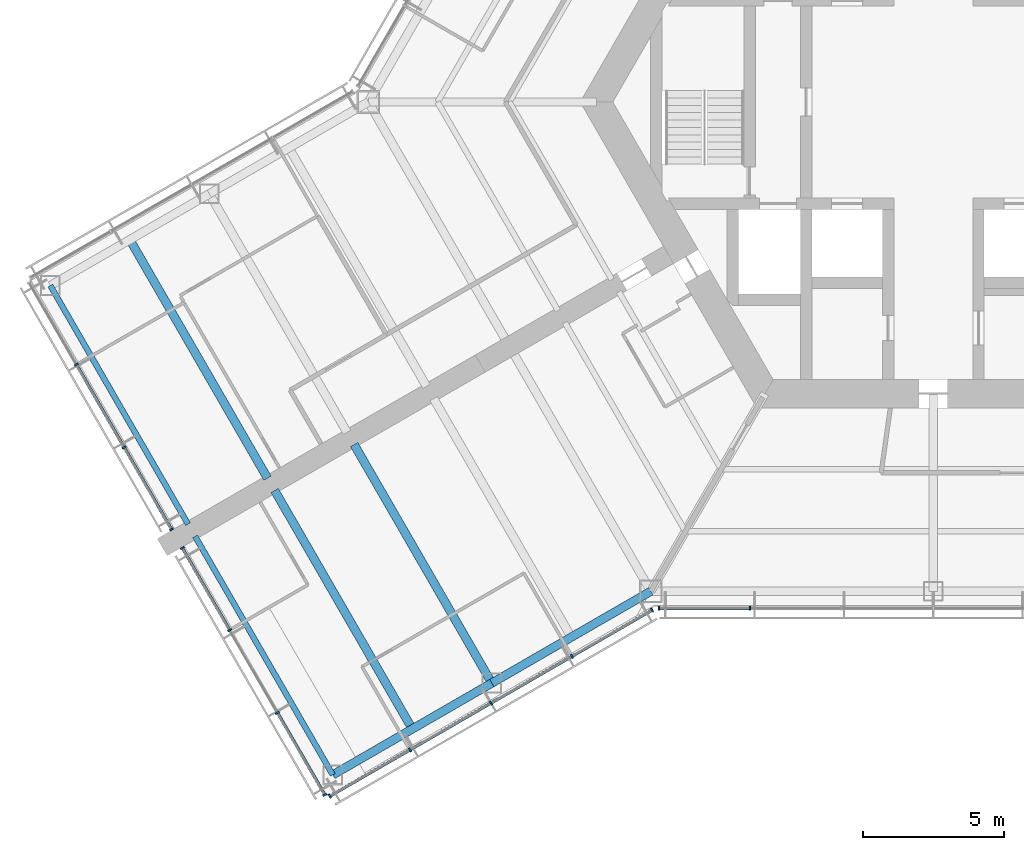
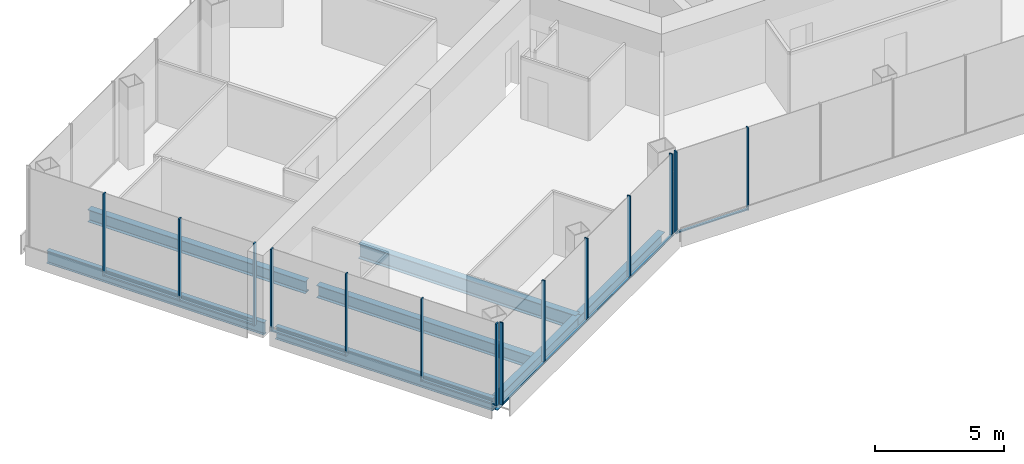
# One storey, part 2 of 18: 23 members, 7 beams, 4 elements without a shape of their own.
"""IFC4 building model written with IfcOpenShell, lengths in metres."""

from ifc_helpers import new_model, si_unit, direction, frame, origin, origin_2d, place, context, subcontext, project, spatial, rectangle, i_section, extrude, material, material_profile, profile_set, type_object, element, aggregate, save


model = new_model("IFC4")

# Units and contexts
model_context = context("Model", 3, precision=1e-05, world=origin(), true_north=direction((0.0, 1.0)))
body_context = subcontext(model_context, "Body", "Model", "MODEL_VIEW")
ifc_project = project(units=[si_unit("LENGTHUNIT", "METRE"), si_unit("AREAUNIT", "SQUARE_METRE"), si_unit("VOLUMEUNIT", "CUBIC_METRE"), si_unit("PLANEANGLEUNIT", "RADIAN"), si_unit("MASSUNIT", "GRAM", prefix="KILO")], contexts=[model_context])

# Site, building, storey
site_placement = place(None, origin())
site = spatial("IfcSite", under=ifc_project, at=site_placement, CompositionType="ELEMENT")
building_placement = place(site_placement, origin())
building = spatial("IfcBuilding", under=site, at=building_placement, Name="Kasaneha Research Tower", CompositionType="ELEMENT")
storey_placement = place(building_placement, frame((0.0, 0.0, 144.800048828125)))
storey = spatial("IfcBuildingStorey", under=building, at=storey_placement, Name="L36", CompositionType="ELEMENT", Elevation=144.800048828125)

# Beams
ifc_material_1 = material(Name="Steel SN490B", Category="steel")
ifc_material_profile_1 = material_profile(ifc_material_1, i_section(OverallWidth=0.300048828125, OverallDepth=0.58203125, WebThickness=0.011962890625, FlangeThickness=0.01708984375, FilletRadius=0.012939453125, at=origin_2d()), Name="H-582x300x12x17")
ifc_profile_set_1 = profile_set([ifc_material_profile_1], Name="Steel SN490B")
beam_type_1 = type_object("IfcBeamType", Name="B2-3 secondary beam H-582x300x12x17", PredefinedType="JOIST", material=ifc_profile_set_1)
for number, where, z_axis, x_axis, name in (
    (1, (-28.44384765625, -4.875, -0.441162109375), (0.499995560238, -0.866027967067, 0.0), (0.866027967067, 0.499995560238, 0.0), "Secondary beam WBBP2 L36"),
    (2, (-18.44384765625, -22.195556640625, -0.441162109375), (-0.499995560238, 0.866027967067, 0.0), (-0.866027967067, -0.499995560238, 0.0), "Secondary beam WBBN2 L36"),
):
    element("IfcBeam", number, at=place(storey_placement, frame(where, z_axis=z_axis, x_axis=x_axis)), inside=storey, type_object=beam_type_1, Name=name, PredefinedType="JOIST", context=body_context, shape_type="SweptSolid", body=[
        extrude(i_section(OverallWidth=0.300048828125, OverallDepth=0.58203125, WebThickness=0.011962890625, FlangeThickness=0.01708984375, FilletRadius=0.012939453125, at=origin_2d()), origin(), (0.0, 0.0, 1.0), 9.75),
    ])

# Curtain wall, members
ifc_material_2 = material(Name="Glass and aluminium", Category="aluminium")
curtain_wall_type = type_object("IfcCurtainWallType", Name="Mid-rise office curtain wall", PredefinedType="USERDEFINED", material=ifc_material_2)
curtain_wall_1_placement = place(storey_placement, origin())
curtain_wall_1 = element("IfcCurtainWall", 3, at=curtain_wall_1_placement, inside=storey, type_object=curtain_wall_type, Name="CW-O2 L36 run 01a", ObjectType="UNITISED CURTAIN WALL", PredefinedType="USERDEFINED")
ifc_material_3 = material(Name="Aluminium 6063-T6", Category="aluminium")
ifc_material_profile_2 = material_profile(ifc_material_3, rectangle(XDim=0.06005859375, YDim=0.14990234375, at=origin_2d()), Name="CW-O2 mullion 60x150")
ifc_profile_set_2 = profile_set([ifc_material_profile_2], Name="Aluminium 6063-T6")
member_type_1 = type_object("IfcMemberType", Name="CW-O2 mullion", PredefinedType="MULLION", material=ifc_profile_set_2)
member_1_placement = place(storey_placement, frame((-9.709228515625, -17.92041015625, 0.0), z_axis=(0.0, 0.0, 1.0), x_axis=(1.0, 0.0, 0.0)))
member_1 = element("IfcMember", 4, at=member_1_placement, type_object=member_type_1, Name="CW-O2 mullion 1", PredefinedType="MULLION", context=body_context, shape_type="SweptSolid", body=[
    extrude(rectangle(XDim=0.06005859375, YDim=0.14990234375, at=origin_2d()), origin(), (0.0, 0.0, 1.0), 3.89990234375),
])
member_2_placement = place(storey_placement, frame((-6.492919921875, -17.92041015625, 0.0), z_axis=(0.0, 0.0, 1.0), x_axis=(1.0, 0.0, 0.0)))
member_2 = element("IfcMember", 5, at=member_2_placement, type_object=member_type_1, Name="CW-O2 mullion 2", PredefinedType="MULLION", context=body_context, shape_type="SweptSolid", body=[
    extrude(rectangle(XDim=0.06005859375, YDim=0.14990234375, at=origin_2d()), origin(), (0.0, 0.0, 1.0), 3.89990234375),
])

curtain_wall_2_placement = place(storey_placement, origin())
curtain_wall_2 = element("IfcCurtainWall", 6, at=curtain_wall_2_placement, inside=storey, type_object=curtain_wall_type, Name="CW-O2 L36 run 10a", ObjectType="UNITISED CURTAIN WALL", PredefinedType="USERDEFINED")
member_3_placement = place(storey_placement, frame((-30.336181640625, -9.297119140625, 0.0), z_axis=(0.0, 0.0, 1.0), x_axis=(0.500000011442, -0.866025397178, 0.0)))
member_3 = element("IfcMember", 7, at=member_3_placement, type_object=member_type_1, Name="CW-O2 mullion 2", PredefinedType="MULLION", context=body_context, shape_type="SweptSolid", body=[
    extrude(rectangle(XDim=0.06005859375, YDim=0.14990234375, at=origin_2d()), origin(), (0.0, 0.0, 1.0), 3.89990234375),
])
member_4_placement = place(storey_placement, frame((-28.64453125, -12.22705078125, 0.0), z_axis=(0.0, 0.0, 1.0), x_axis=(0.500000011442, -0.866025397178, 0.0)))
member_4 = element("IfcMember", 8, at=member_4_placement, type_object=member_type_1, Name="CW-O2 mullion 3", PredefinedType="MULLION", context=body_context, shape_type="SweptSolid", body=[
    extrude(rectangle(XDim=0.06005859375, YDim=0.14990234375, at=origin_2d()), origin(), (0.0, 0.0, 1.0), 3.89990234375),
])
member_5_placement = place(storey_placement, frame((-26.968017578125, -15.131103515625, 0.0), z_axis=(0.0, 0.0, 1.0), x_axis=(0.500000011442, -0.866025397178, 0.0)))
member_5 = element("IfcMember", 9, at=member_5_placement, type_object=member_type_1, Name="CW-O2 mullion 4", PredefinedType="MULLION", context=body_context, shape_type="SweptSolid", body=[
    extrude(rectangle(XDim=0.06005859375, YDim=0.14990234375, at=origin_2d()), origin(), (0.0, 0.0, 1.0), 3.89990234375),
])

curtain_wall_3_placement = place(storey_placement, origin())
curtain_wall_3 = element("IfcCurtainWall", 10, at=curtain_wall_3_placement, inside=storey, type_object=curtain_wall_type, Name="CW-O2 L36 run 11a", ObjectType="UNITISED CURTAIN WALL", PredefinedType="USERDEFINED")
member_6_placement = place(storey_placement, frame((-26.587890625, -15.789306640625, 0.0), z_axis=(0.0, 0.0, 1.0), x_axis=(0.500000011442, -0.866025397178, 0.0)))
member_6 = element("IfcMember", 11, at=member_6_placement, type_object=member_type_1, Name="CW-O2 mullion 1", PredefinedType="MULLION", context=body_context, shape_type="SweptSolid", body=[
    extrude(rectangle(XDim=0.06005859375, YDim=0.14990234375, at=origin_2d()), origin(), (0.0, 0.0, 1.0), 3.89990234375),
])
member_7_placement = place(storey_placement, frame((-24.911376953125, -18.693359375, 0.0), z_axis=(0.0, 0.0, 1.0), x_axis=(0.500000011442, -0.866025397178, 0.0)))
member_7 = element("IfcMember", 12, at=member_7_placement, type_object=member_type_1, Name="CW-O2 mullion 2", PredefinedType="MULLION", context=body_context, shape_type="SweptSolid", body=[
    extrude(rectangle(XDim=0.06005859375, YDim=0.14990234375, at=origin_2d()), origin(), (0.0, 0.0, 1.0), 3.89990234375),
])
member_8_placement = place(storey_placement, frame((-23.2197265625, -21.62353515625, 0.0), z_axis=(0.0, 0.0, 1.0), x_axis=(0.500000011442, -0.866025397178, 0.0)))
member_8 = element("IfcMember", 13, at=member_8_placement, type_object=member_type_1, Name="CW-O2 mullion 3", PredefinedType="MULLION", context=body_context, shape_type="SweptSolid", body=[
    extrude(rectangle(XDim=0.06005859375, YDim=0.14990234375, at=origin_2d()), origin(), (0.0, 0.0, 1.0), 3.89990234375),
])
member_9_placement = place(storey_placement, frame((-21.54296875, -24.527587890625, 0.0), z_axis=(0.0, 0.0, 1.0), x_axis=(0.500000011442, -0.866025397178, 0.0)))
member_9 = element("IfcMember", 14, at=member_9_placement, type_object=member_type_1, Name="CW-O2 mullion 4", PredefinedType="MULLION", context=body_context, shape_type="SweptSolid", body=[
    extrude(rectangle(XDim=0.06005859375, YDim=0.14990234375, at=origin_2d()), origin(), (0.0, 0.0, 1.0), 3.89990234375),
])

curtain_wall_4_placement = place(storey_placement, origin())
curtain_wall_4 = element("IfcCurtainWall", 15, at=curtain_wall_4_placement, inside=storey, type_object=curtain_wall_type, Name="CW-O2 L36 run 12a", ObjectType="UNITISED CURTAIN WALL", PredefinedType="USERDEFINED")
member_10_placement = place(storey_placement, frame((-21.365478515625, -24.5751953125, 0.0), z_axis=(0.0, 0.0, 1.0), x_axis=(0.866025411464, 0.499999986699, 0.0)))
member_10 = element("IfcMember", 16, at=member_10_placement, type_object=member_type_1, Name="CW-O2 mullion 1", PredefinedType="MULLION", context=body_context, shape_type="SweptSolid", body=[
    extrude(rectangle(XDim=0.06005859375, YDim=0.14990234375, at=origin_2d()), origin(), (0.0, 0.0, 1.0), 3.89990234375),
])
member_11_placement = place(storey_placement, frame((-18.52490234375, -22.935302734375, 0.0), z_axis=(0.0, 0.0, 1.0), x_axis=(0.866025411464, 0.499999986699, 0.0)))
member_11 = element("IfcMember", 17, at=member_11_placement, type_object=member_type_1, Name="CW-O2 mullion 2", PredefinedType="MULLION", context=body_context, shape_type="SweptSolid", body=[
    extrude(rectangle(XDim=0.06005859375, YDim=0.14990234375, at=origin_2d()), origin(), (0.0, 0.0, 1.0), 3.89990234375),
])
member_12_placement = place(storey_placement, frame((-15.65869140625, -21.2802734375, 0.0), z_axis=(0.0, 0.0, 1.0), x_axis=(0.866025411464, 0.499999986699, 0.0)))
member_12 = element("IfcMember", 18, at=member_12_placement, type_object=member_type_1, Name="CW-O2 mullion 3", PredefinedType="MULLION", context=body_context, shape_type="SweptSolid", body=[
    extrude(rectangle(XDim=0.06005859375, YDim=0.14990234375, at=origin_2d()), origin(), (0.0, 0.0, 1.0), 3.89990234375),
])
member_13_placement = place(storey_placement, frame((-12.792236328125, -19.62548828125, 0.0), z_axis=(0.0, 0.0, 1.0), x_axis=(0.866025411464, 0.499999986699, 0.0)))
member_13 = element("IfcMember", 19, at=member_13_placement, type_object=member_type_1, Name="CW-O2 mullion 4", PredefinedType="MULLION", context=body_context, shape_type="SweptSolid", body=[
    extrude(rectangle(XDim=0.06005859375, YDim=0.14990234375, at=origin_2d()), origin(), (0.0, 0.0, 1.0), 3.89990234375),
])
member_14_placement = place(storey_placement, frame((-9.951904296875, -17.985595703125, 0.0), z_axis=(0.0, 0.0, 1.0), x_axis=(0.866025411464, 0.499999986699, 0.0)))
member_14 = element("IfcMember", 20, at=member_14_placement, type_object=member_type_1, Name="CW-O2 mullion 5", PredefinedType="MULLION", context=body_context, shape_type="SweptSolid", body=[
    extrude(rectangle(XDim=0.06005859375, YDim=0.14990234375, at=origin_2d()), origin(), (0.0, 0.0, 1.0), 3.89990234375),
])

# Member
ifc_material_4 = material(Name="Aluminium 6063-T6", Category="aluminium")
ifc_material_profile_3 = material_profile(ifc_material_4, rectangle(XDim=0.110107421875, YDim=0.06005859375, at=origin_2d()), Name="CW-O2 transom 110x60")
ifc_profile_set_3 = profile_set([ifc_material_profile_3], Name="Aluminium 6063-T6")
member_type_2 = type_object("IfcMemberType", Name="CW-O2 transom", PredefinedType="USERDEFINED", material=ifc_profile_set_3)
member_15_placement = place(storey_placement, frame((-9.67919921875, -17.92041015625, 0.030029296875), z_axis=(1.0, 0.0, 0.0), x_axis=(0.0, 1.0, 0.0)))
member_15 = element("IfcMember", 21, at=member_15_placement, type_object=member_type_2, Name="CW-O2 transom 1", ObjectType="TRANSOM", PredefinedType="USERDEFINED", context=body_context, shape_type="SweptSolid", body=[
    extrude(rectangle(XDim=0.110107421875, YDim=0.06005859375, at=origin_2d()), origin(), (0.0, 0.0, 1.0), 3.156494140625),
])

aggregate(curtain_wall_1, [member_1, member_2, member_15])

member_16_placement = place(storey_placement, frame((-30.3212890625, -9.322998046875, 0.030029296875), z_axis=(0.499978935311, -0.866037565146, 0.0), x_axis=(0.866037565146, 0.499978935311, 0.0)))
member_16 = element("IfcMember", 22, at=member_16_placement, type_object=member_type_2, Name="CW-O2 transom 2", ObjectType="TRANSOM", PredefinedType="USERDEFINED", context=body_context, shape_type="SweptSolid", body=[
    extrude(rectangle(XDim=0.110107421875, YDim=0.06005859375, at=origin_2d()), origin(), (0.0, 0.0, 1.0), 3.323486328125),
])

member_17_placement = place(storey_placement, frame((-28.629638671875, -12.253173828125, 0.030029296875), z_axis=(0.500021914551, -0.866012751043, 0.0), x_axis=(0.866012751043, 0.500021914551, 0.0)))
member_17 = element("IfcMember", 23, at=member_17_placement, type_object=member_type_2, Name="CW-O2 transom 3", ObjectType="TRANSOM", PredefinedType="USERDEFINED", context=body_context, shape_type="SweptSolid", body=[
    extrude(rectangle(XDim=0.110107421875, YDim=0.06005859375, at=origin_2d()), origin(), (0.0, 0.0, 1.0), 3.293212890625),
])

aggregate(curtain_wall_2, [member_3, member_4, member_5, member_16, member_17])

member_18_placement = place(storey_placement, frame((-26.572998046875, -15.8154296875, 0.030029296875), z_axis=(0.500021914551, -0.866012751043, 0.0), x_axis=(0.866012751043, 0.500021914551, 0.0)))
member_18 = element("IfcMember", 24, at=member_18_placement, type_object=member_type_2, Name="CW-O2 transom 1", ObjectType="TRANSOM", PredefinedType="USERDEFINED", context=body_context, shape_type="SweptSolid", body=[
    extrude(rectangle(XDim=0.110107421875, YDim=0.06005859375, at=origin_2d()), origin(), (0.0, 0.0, 1.0), 3.293212890625),
])

member_19_placement = place(storey_placement, frame((-23.20458984375, -21.6494140625, 0.030029296875), z_axis=(0.500021914551, -0.866012751043, 0.0), x_axis=(0.866012751043, 0.500021914551, 0.0)))
member_19 = element("IfcMember", 25, at=member_19_placement, type_object=member_type_2, Name="CW-O2 transom 3", ObjectType="TRANSOM", PredefinedType="USERDEFINED", context=body_context, shape_type="SweptSolid", body=[
    extrude(rectangle(XDim=0.110107421875, YDim=0.06005859375, at=origin_2d()), origin(), (0.0, 0.0, 1.0), 3.293212890625),
])

aggregate(curtain_wall_3, [member_6, member_7, member_8, member_9, member_18, member_19])

member_20_placement = place(storey_placement, frame((-21.33935546875, -24.56005859375, 0.030029296875), z_axis=(0.866022692473, 0.500004696101, 0.0), x_axis=(-0.500004696101, 0.866022692473, 0.0)))
member_20 = element("IfcMember", 26, at=member_20_placement, type_object=member_type_2, Name="CW-O2 transom 1", ObjectType="TRANSOM", PredefinedType="USERDEFINED", context=body_context, shape_type="SweptSolid", body=[
    extrude(rectangle(XDim=0.110107421875, YDim=0.06005859375, at=origin_2d()), origin(), (0.0, 0.0, 1.0), 3.2197265625),
])

member_21_placement = place(storey_placement, frame((-18.4990234375, -22.920166015625, 0.030029296875), z_axis=(0.86604797581, 0.499960902066, 0.0), x_axis=(-0.499960902066, 0.86604797581, 0.0)))
member_21 = element("IfcMember", 27, at=member_21_placement, type_object=member_type_2, Name="CW-O2 transom 2", ObjectType="TRANSOM", PredefinedType="USERDEFINED", context=body_context, shape_type="SweptSolid", body=[
    extrude(rectangle(XDim=0.110107421875, YDim=0.06005859375, at=origin_2d()), origin(), (0.0, 0.0, 1.0), 3.249755859375),
])

member_22_placement = place(storey_placement, frame((-15.632568359375, -21.265380859375, 0.030029296875), z_axis=(0.866015446554, 0.500017246033, 0.0), x_axis=(-0.500017246033, 0.866015446554, 0.0)))
member_22 = element("IfcMember", 28, at=member_22_placement, type_object=member_type_2, Name="CW-O2 transom 3", ObjectType="TRANSOM", PredefinedType="USERDEFINED", context=body_context, shape_type="SweptSolid", body=[
    extrude(rectangle(XDim=0.110107421875, YDim=0.06005859375, at=origin_2d()), origin(), (0.0, 0.0, 1.0), 3.25),
])

member_23_placement = place(storey_placement, frame((-12.76611328125, -19.6103515625, 0.030029296875), z_axis=(0.866022692473, 0.500004696101, 0.0), x_axis=(-0.500004696101, 0.866022692473, 0.0)))
member_23 = element("IfcMember", 29, at=member_23_placement, type_object=member_type_2, Name="CW-O2 transom 4", ObjectType="TRANSOM", PredefinedType="USERDEFINED", context=body_context, shape_type="SweptSolid", body=[
    extrude(rectangle(XDim=0.110107421875, YDim=0.06005859375, at=origin_2d()), origin(), (0.0, 0.0, 1.0), 3.2197265625),
])

aggregate(curtain_wall_4, [member_10, member_11, member_12, member_13, member_14, member_20, member_21, member_22, member_23])

# Beams
ifc_material_5 = material(Name="Steel SN490B", Category="steel")
ifc_material_profile_4 = material_profile(ifc_material_5, i_section(OverallWidth=0.300048828125, OverallDepth=0.699951171875, WebThickness=0.012939453125, FlangeThickness=0.02392578125, FilletRadius=0.01806640625, at=origin_2d()), Name="H-700x300x13x24")
ifc_profile_set_4 = profile_set([ifc_material_profile_4], Name="Steel SN490B")
beam_type_2 = type_object("IfcBeamType", Name="G4-3 wing girder H-700x300x13x24", PredefinedType="BEAM", material=ifc_profile_set_4)
beam_placement = place(storey_placement, frame((-15.629150390625, -20.570556640625, -0.5), z_axis=(-0.499995560238, 0.866027967067, 0.0), x_axis=(-0.866027967067, -0.499995560238, 0.0)))
element("IfcBeam", 30, at=beam_placement, inside=storey, type_object=beam_type_2, Name="Wing girder WGBN L36", PredefinedType="BEAM", context=body_context, shape_type="SweptSolid", body=[
    extrude(i_section(OverallWidth=0.300048828125, OverallDepth=0.699951171875, WebThickness=0.012939453125, FlangeThickness=0.02392578125, FilletRadius=0.01806640625, at=origin_2d()), origin(), (0.0, 0.0, 1.0), 9.75),
])
ifc_material_6 = material(Name="Steel SN490B", Category="steel")
ifc_material_profile_5 = material_profile(ifc_material_6, i_section(OverallWidth=0.300048828125, OverallDepth=0.58203125, WebThickness=0.011962890625, FlangeThickness=0.01708984375, FilletRadius=0.012939453125, at=origin_2d()), Name="H-582x300x12x17")
ifc_profile_set_5 = profile_set([ifc_material_profile_5], Name="Steel SN490B")
beam_type_3 = type_object("IfcBeamType", Name="SB2-3 spandrel beam H-582x300x12x17", PredefinedType="SPANDREL", material=ifc_profile_set_5)
for number, where, z_axis, x_axis, name in (
    (31, (-10.0, -17.320556640625, -0.441162109375), (-0.866024837091, -0.50000098154, 0.0), (0.50000098154, -0.866024837091, 0.0), "Spandrel beam WSBN1 L36"),
    (32, (-15.629150390625, -20.570556640625, -0.441162109375), (-0.866024837091, -0.50000098154, 0.0), (0.50000098154, -0.866024837091, 0.0), "Spandrel beam WSBN2 L36"),
):
    element("IfcBeam", number, at=place(storey_placement, frame(where, z_axis=z_axis, x_axis=x_axis)), inside=storey, type_object=beam_type_3, Name=name, PredefinedType="SPANDREL", context=body_context, shape_type="SweptSolid", body=[
        extrude(i_section(OverallWidth=0.300048828125, OverallDepth=0.58203125, WebThickness=0.011962890625, FlangeThickness=0.01708984375, FilletRadius=0.012939453125, at=origin_2d()), origin(), (0.0, 0.0, 1.0), 6.5),
    ])
ifc_material_7 = material(Name="Steel SN490B", Category="steel")
ifc_material_profile_6 = material_profile(ifc_material_7, i_section(OverallWidth=0.199951171875, OverallDepth=0.60009765625, WebThickness=0.010986328125, FlangeThickness=0.01708984375, FilletRadius=0.012939453125, at=origin_2d()), Name="H-600x200x11x17")
ifc_profile_set_6 = profile_set([ifc_material_profile_6], Name="Steel SN490B")
beam_type_4 = type_object("IfcBeamType", Name="SB3-3 spandrel beam H-600x200x11x17", PredefinedType="SPANDREL", material=ifc_profile_set_6)
for number, where, z_axis, x_axis, name in (
    (33, (-31.25830078125, -6.5, -0.449951171875), (0.499995560238, -0.866027967067, 0.0), (0.866027967067, 0.499995560238, 0.0), "Spandrel beam WTBP L36"),
    (34, (-21.25830078125, -23.820556640625, -0.449951171875), (-0.499995560238, 0.866027967067, 0.0), (-0.866027967067, -0.499995560238, 0.0), "Spandrel beam WTBN L36"),
):
    element("IfcBeam", number, at=place(storey_placement, frame(where, z_axis=z_axis, x_axis=x_axis)), inside=storey, type_object=beam_type_4, Name=name, PredefinedType="SPANDREL", context=body_context, shape_type="SweptSolid", body=[
        extrude(i_section(OverallWidth=0.199951171875, OverallDepth=0.60009765625, WebThickness=0.010986328125, FlangeThickness=0.01708984375, FilletRadius=0.012939453125, at=origin_2d()), origin(), (0.0, 0.0, 1.0), 9.75),
    ])

save(model, "model.ifc")
